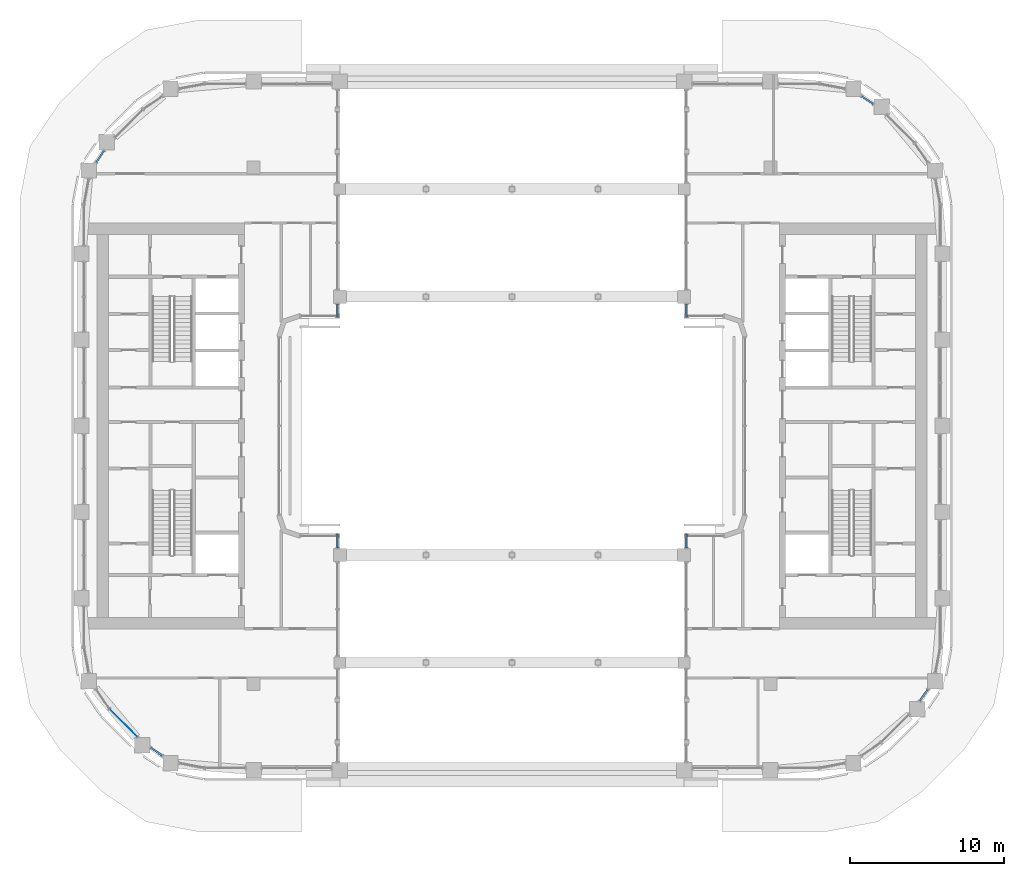
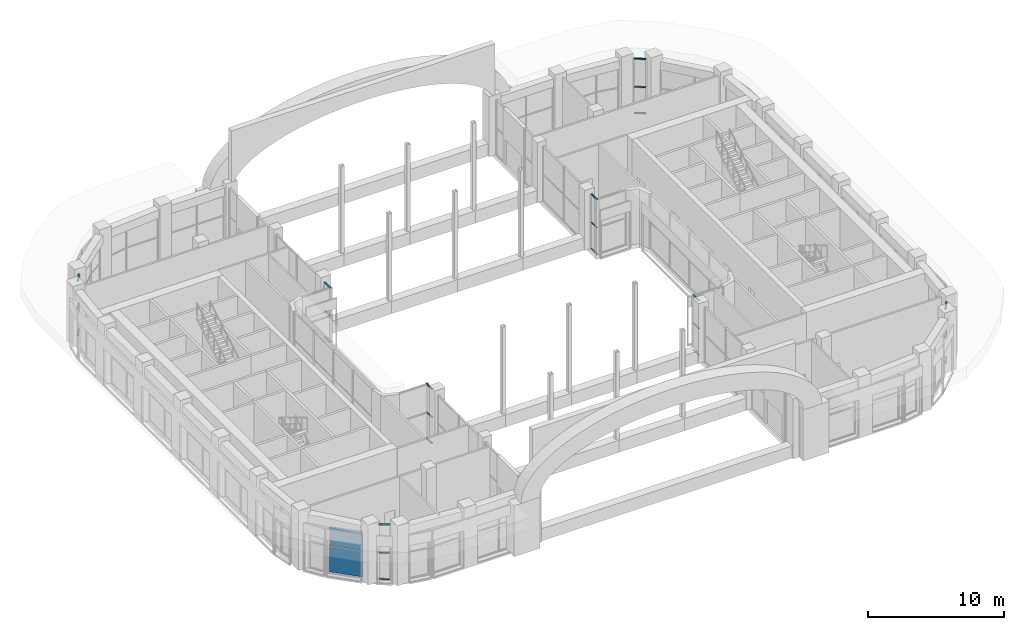
# One storey, part 11 of 28: 24 members, 2 plates, 9 elements without a shape of their own.
"""IFC4 building model written with IfcOpenShell, lengths in metres."""

from ifc_helpers import new_model, si_unit, direction, frame, origin, origin_2d, place, context, subcontext, project, spatial, rectangle, extrude, material, layer, layer_set, material_profile, profile_set, type_object, element, aggregate, save


model = new_model("IFC4")

# Units and contexts
model_context = context("Model", 3, precision=1e-05, world=origin(), true_north=direction((0.0, 1.0)))
body_context = subcontext(model_context, "Body", "Model", "MODEL_VIEW")
ifc_project = project(units=[si_unit("LENGTHUNIT", "METRE"), si_unit("AREAUNIT", "SQUARE_METRE"), si_unit("VOLUMEUNIT", "CUBIC_METRE"), si_unit("PLANEANGLEUNIT", "RADIAN"), si_unit("MASSUNIT", "GRAM", prefix="KILO")], contexts=[model_context])

# Site, building, storey
site_placement = place(None, origin())
site = spatial("IfcSite", under=ifc_project, at=site_placement, CompositionType="ELEMENT")
building_placement = place(site_placement, origin())
building = spatial("IfcBuilding", under=site, at=building_placement, Name="Kiln Ring Residences", CompositionType="ELEMENT")
storey_placement = place(building_placement, frame((0.0, 0.0, 178.10009765625)))
storey = spatial("IfcBuildingStorey", under=building, at=storey_placement, Name="L46", CompositionType="ELEMENT", Elevation=178.10009765625)

# Curtain wall, members
ifc_material_1 = material(Name="Aluminium and glass", Category="aluminium")
ifc_layer_1 = layer(ifc_material_1, 0.199951171875)
ifc_layer_set_1 = layer_set([ifc_layer_1], Name="CW1 CURTAIN WALL")
curtain_wall_type = type_object("IfcCurtainWallType", Name="CW1 CURTAIN WALL", PredefinedType="NOTDEFINED", material=ifc_layer_set_1)
placement = place(storey_placement, origin())
curtain_wall_1 = element("IfcCurtainWall", 1, at=placement, inside=storey, type_object=curtain_wall_type, Name="Curtain wall CW1 L46", PredefinedType="NOTDEFINED")
ifc_material_2 = material(Name="Aluminium 6063-T6", Category="aluminium")
ifc_material_profile = material_profile(ifc_material_2, rectangle(XDim=0.1201171875, YDim=0.06005859375, at=origin_2d()), Name="AL 120x60")
ifc_profile_set = profile_set([ifc_material_profile], Name="Aluminium 6063-T6")
member_type = type_object("IfcMemberType", Name="CW1 TRANSOM 120 x 60", PredefinedType="USERDEFINED", material=ifc_profile_set)
member_1_placement = place(storey_placement, frame((-23.484375, -20.93798828125, 0.02978515625), z_axis=(0.827097163461, -0.562058966831, 0.0), x_axis=(0.562058966831, 0.827097163461, 0.0)))
member_1 = element("IfcMember", 2, at=member_1_placement, type_object=member_type, Name="CW1 transom 1.1", ObjectType="TRANSOM", PredefinedType="USERDEFINED", context=body_context, shape_type="SweptSolid", body=[
    extrude(rectangle(XDim=0.1201171875, YDim=0.06005859375, at=origin_2d()), origin(), (0.0, 0.0, 1.0), 0.8779296875),
])
member_2_placement = place(storey_placement, frame((-23.484375, -20.93798828125, 2.39990234375), z_axis=(0.827097163461, -0.562058966831, 0.0), x_axis=(0.562058966831, 0.827097163461, 0.0)))
member_2 = element("IfcMember", 3, at=member_2_placement, type_object=member_type, Name="CW1 transom 1.2", ObjectType="TRANSOM", PredefinedType="USERDEFINED", context=body_context, shape_type="SweptSolid", body=[
    extrude(rectangle(XDim=0.1201171875, YDim=0.06005859375, at=origin_2d()), origin(), (0.0, 0.0, 1.0), 0.8779296875),
])
member_3_placement = place(storey_placement, frame((-23.484375, -20.93798828125, 4.919921875), z_axis=(0.827097163461, -0.562058966831, 0.0), x_axis=(0.562058966831, 0.827097163461, 0.0)))
member_3 = element("IfcMember", 4, at=member_3_placement, type_object=member_type, Name="CW1 transom 1.3", ObjectType="TRANSOM", PredefinedType="USERDEFINED", context=body_context, shape_type="SweptSolid", body=[
    extrude(rectangle(XDim=0.1201171875, YDim=0.06005859375, at=origin_2d()), origin(), (0.0, 0.0, 1.0), 0.8779296875),
])
aggregate(curtain_wall_1, [member_1, member_2, member_3])

curtain_wall_2 = element("IfcCurtainWall", 5, at=placement, inside=storey, type_object=curtain_wall_type, Name="Curtain wall CW1 L46", PredefinedType="NOTDEFINED")
member_4_placement = place(storey_placement, frame((-11.35009765625, -7.9150390625, 0.02978515625), z_axis=(0.0, 1.0, 0.0), x_axis=(-1.0, 0.0, 0.0)))
member_4 = element("IfcMember", 6, at=member_4_placement, type_object=member_type, Name="CW1 transom 1.1", ObjectType="TRANSOM", PredefinedType="USERDEFINED", context=body_context, shape_type="SweptSolid", body=[
    extrude(rectangle(XDim=0.1201171875, YDim=0.06005859375, at=origin_2d()), origin(), (0.0, 0.0, 1.0), 0.85498046875),
])
member_5_placement = place(storey_placement, frame((-11.35009765625, -7.9150390625, 2.39990234375), z_axis=(0.0, 1.0, 0.0), x_axis=(-1.0, 0.0, 0.0)))
member_5 = element("IfcMember", 7, at=member_5_placement, type_object=member_type, Name="CW1 transom 1.2", ObjectType="TRANSOM", PredefinedType="USERDEFINED", context=body_context, shape_type="SweptSolid", body=[
    extrude(rectangle(XDim=0.1201171875, YDim=0.06005859375, at=origin_2d()), origin(), (0.0, 0.0, 1.0), 0.85498046875),
])
member_6_placement = place(storey_placement, frame((-11.35009765625, -7.9150390625, 4.919921875), z_axis=(0.0, 1.0, 0.0), x_axis=(-1.0, 0.0, 0.0)))
member_6 = element("IfcMember", 8, at=member_6_placement, type_object=member_type, Name="CW1 transom 1.3", ObjectType="TRANSOM", PredefinedType="USERDEFINED", context=body_context, shape_type="SweptSolid", body=[
    extrude(rectangle(XDim=0.1201171875, YDim=0.06005859375, at=origin_2d()), origin(), (0.0, 0.0, 1.0), 0.85498046875),
])
aggregate(curtain_wall_2, [member_4, member_5, member_6])

curtain_wall_3 = element("IfcCurtainWall", 9, at=placement, inside=storey, type_object=curtain_wall_type, Name="Curtain wall CW1 L46", PredefinedType="NOTDEFINED")
member_7_placement = place(storey_placement, frame((-11.35009765625, 7.06005859375, 0.02978515625), z_axis=(0.0, 1.0, 0.0), x_axis=(-1.0, 0.0, 0.0)))
member_7 = element("IfcMember", 10, at=member_7_placement, type_object=member_type, Name="CW1 transom 1.1", ObjectType="TRANSOM", PredefinedType="USERDEFINED", context=body_context, shape_type="SweptSolid", body=[
    extrude(rectangle(XDim=0.1201171875, YDim=0.06005859375, at=origin_2d()), origin(), (0.0, 0.0, 1.0), 0.85498046875),
])
member_8_placement = place(storey_placement, frame((-11.35009765625, 7.06005859375, 2.39990234375), z_axis=(0.0, 1.0, 0.0), x_axis=(-1.0, 0.0, 0.0)))
member_8 = element("IfcMember", 11, at=member_8_placement, type_object=member_type, Name="CW1 transom 1.2", ObjectType="TRANSOM", PredefinedType="USERDEFINED", context=body_context, shape_type="SweptSolid", body=[
    extrude(rectangle(XDim=0.1201171875, YDim=0.06005859375, at=origin_2d()), origin(), (0.0, 0.0, 1.0), 0.85498046875),
])
member_9_placement = place(storey_placement, frame((-11.35009765625, 7.06005859375, 4.919921875), z_axis=(0.0, 1.0, 0.0), x_axis=(-1.0, 0.0, 0.0)))
member_9 = element("IfcMember", 12, at=member_9_placement, type_object=member_type, Name="CW1 transom 1.3", ObjectType="TRANSOM", PredefinedType="USERDEFINED", context=body_context, shape_type="SweptSolid", body=[
    extrude(rectangle(XDim=0.1201171875, YDim=0.06005859375, at=origin_2d()), origin(), (0.0, 0.0, 1.0), 0.85498046875),
])
aggregate(curtain_wall_3, [member_7, member_8, member_9])

curtain_wall_4 = element("IfcCurtainWall", 13, at=placement, inside=storey, type_object=curtain_wall_type, Name="Curtain wall CW1 L46", PredefinedType="NOTDEFINED")
member_10_placement = place(storey_placement, frame((-26.5380859375, 17.88427734375, 0.02978515625), z_axis=(-0.562058966831, -0.827097163461, 0.0), x_axis=(0.827097163461, -0.562058966831, 0.0)))
member_10 = element("IfcMember", 14, at=member_10_placement, type_object=member_type, Name="CW1 transom 1.1", ObjectType="TRANSOM", PredefinedType="USERDEFINED", context=body_context, shape_type="SweptSolid", body=[
    extrude(rectangle(XDim=0.1201171875, YDim=0.06005859375, at=origin_2d()), origin(), (0.0, 0.0, 1.0), 0.8779296875),
])
member_11_placement = place(storey_placement, frame((-26.5380859375, 17.88427734375, 2.39990234375), z_axis=(-0.562058966831, -0.827097163461, 0.0), x_axis=(0.827097163461, -0.562058966831, 0.0)))
member_11 = element("IfcMember", 15, at=member_11_placement, type_object=member_type, Name="CW1 transom 1.2", ObjectType="TRANSOM", PredefinedType="USERDEFINED", context=body_context, shape_type="SweptSolid", body=[
    extrude(rectangle(XDim=0.1201171875, YDim=0.06005859375, at=origin_2d()), origin(), (0.0, 0.0, 1.0), 0.8779296875),
])
member_12_placement = place(storey_placement, frame((-26.5380859375, 17.88427734375, 4.919921875), z_axis=(-0.562058966831, -0.827097163461, 0.0), x_axis=(0.827097163461, -0.562058966831, 0.0)))
member_12 = element("IfcMember", 16, at=member_12_placement, type_object=member_type, Name="CW1 transom 1.3", ObjectType="TRANSOM", PredefinedType="USERDEFINED", context=body_context, shape_type="SweptSolid", body=[
    extrude(rectangle(XDim=0.1201171875, YDim=0.06005859375, at=origin_2d()), origin(), (0.0, 0.0, 1.0), 0.8779296875),
])
aggregate(curtain_wall_4, [member_10, member_11, member_12])

curtain_wall_5 = element("IfcCurtainWall", 17, at=placement, inside=storey, type_object=curtain_wall_type, Name="Curtain wall CW1 L46", PredefinedType="NOTDEFINED")
member_13_placement = place(storey_placement, frame((11.35009765625, -7.06005859375, 0.02978515625), z_axis=(0.0, -1.0, 0.0), x_axis=(1.0, 0.0, 0.0)))
member_13 = element("IfcMember", 18, at=member_13_placement, type_object=member_type, Name="CW1 transom 1.1", ObjectType="TRANSOM", PredefinedType="USERDEFINED", context=body_context, shape_type="SweptSolid", body=[
    extrude(rectangle(XDim=0.1201171875, YDim=0.06005859375, at=origin_2d()), origin(), (0.0, 0.0, 1.0), 0.85498046875),
])
member_14_placement = place(storey_placement, frame((11.35009765625, -7.06005859375, 2.39990234375), z_axis=(0.0, -1.0, 0.0), x_axis=(1.0, 0.0, 0.0)))
member_14 = element("IfcMember", 19, at=member_14_placement, type_object=member_type, Name="CW1 transom 1.2", ObjectType="TRANSOM", PredefinedType="USERDEFINED", context=body_context, shape_type="SweptSolid", body=[
    extrude(rectangle(XDim=0.1201171875, YDim=0.06005859375, at=origin_2d()), origin(), (0.0, 0.0, 1.0), 0.85498046875),
])
member_15_placement = place(storey_placement, frame((11.35009765625, -7.06005859375, 4.919921875), z_axis=(0.0, -1.0, 0.0), x_axis=(1.0, 0.0, 0.0)))
member_15 = element("IfcMember", 20, at=member_15_placement, type_object=member_type, Name="CW1 transom 1.3", ObjectType="TRANSOM", PredefinedType="USERDEFINED", context=body_context, shape_type="SweptSolid", body=[
    extrude(rectangle(XDim=0.1201171875, YDim=0.06005859375, at=origin_2d()), origin(), (0.0, 0.0, 1.0), 0.85498046875),
])
aggregate(curtain_wall_5, [member_13, member_14, member_15])

curtain_wall_6 = element("IfcCurtainWall", 21, at=placement, inside=storey, type_object=curtain_wall_type, Name="Curtain wall CW1 L46", PredefinedType="NOTDEFINED")
member_16_placement = place(storey_placement, frame((26.5380859375, -17.88427734375, 0.02978515625), z_axis=(0.562058966831, 0.827097163461, 0.0), x_axis=(-0.827097163461, 0.562058966831, 0.0)))
member_16 = element("IfcMember", 22, at=member_16_placement, type_object=member_type, Name="CW1 transom 1.1", ObjectType="TRANSOM", PredefinedType="USERDEFINED", context=body_context, shape_type="SweptSolid", body=[
    extrude(rectangle(XDim=0.1201171875, YDim=0.06005859375, at=origin_2d()), origin(), (0.0, 0.0, 1.0), 0.8779296875),
])
member_17_placement = place(storey_placement, frame((26.5380859375, -17.88427734375, 2.39990234375), z_axis=(0.562058966831, 0.827097163461, 0.0), x_axis=(-0.827097163461, 0.562058966831, 0.0)))
member_17 = element("IfcMember", 23, at=member_17_placement, type_object=member_type, Name="CW1 transom 1.2", ObjectType="TRANSOM", PredefinedType="USERDEFINED", context=body_context, shape_type="SweptSolid", body=[
    extrude(rectangle(XDim=0.1201171875, YDim=0.06005859375, at=origin_2d()), origin(), (0.0, 0.0, 1.0), 0.8779296875),
])
member_18_placement = place(storey_placement, frame((26.5380859375, -17.88427734375, 4.919921875), z_axis=(0.562058966831, 0.827097163461, 0.0), x_axis=(-0.827097163461, 0.562058966831, 0.0)))
member_18 = element("IfcMember", 24, at=member_18_placement, type_object=member_type, Name="CW1 transom 1.3", ObjectType="TRANSOM", PredefinedType="USERDEFINED", context=body_context, shape_type="SweptSolid", body=[
    extrude(rectangle(XDim=0.1201171875, YDim=0.06005859375, at=origin_2d()), origin(), (0.0, 0.0, 1.0), 0.8779296875),
])
aggregate(curtain_wall_6, [member_16, member_17, member_18])

curtain_wall_7 = element("IfcCurtainWall", 25, at=placement, inside=storey, type_object=curtain_wall_type, Name="Curtain wall CW1 L46", PredefinedType="NOTDEFINED")
member_19_placement = place(storey_placement, frame((23.484375, 20.93798828125, 0.02978515625), z_axis=(-0.827097163461, 0.562058966831, 0.0), x_axis=(-0.562058966831, -0.827097163461, 0.0)))
member_19 = element("IfcMember", 26, at=member_19_placement, type_object=member_type, Name="CW1 transom 1.1", ObjectType="TRANSOM", PredefinedType="USERDEFINED", context=body_context, shape_type="SweptSolid", body=[
    extrude(rectangle(XDim=0.1201171875, YDim=0.06005859375, at=origin_2d()), origin(), (0.0, 0.0, 1.0), 0.8779296875),
])
member_20_placement = place(storey_placement, frame((23.484375, 20.93798828125, 2.39990234375), z_axis=(-0.827097163461, 0.562058966831, 0.0), x_axis=(-0.562058966831, -0.827097163461, 0.0)))
member_20 = element("IfcMember", 27, at=member_20_placement, type_object=member_type, Name="CW1 transom 1.2", ObjectType="TRANSOM", PredefinedType="USERDEFINED", context=body_context, shape_type="SweptSolid", body=[
    extrude(rectangle(XDim=0.1201171875, YDim=0.06005859375, at=origin_2d()), origin(), (0.0, 0.0, 1.0), 0.8779296875),
])
member_21_placement = place(storey_placement, frame((23.484375, 20.93798828125, 4.919921875), z_axis=(-0.827097163461, 0.562058966831, 0.0), x_axis=(-0.562058966831, -0.827097163461, 0.0)))
member_21 = element("IfcMember", 28, at=member_21_placement, type_object=member_type, Name="CW1 transom 1.3", ObjectType="TRANSOM", PredefinedType="USERDEFINED", context=body_context, shape_type="SweptSolid", body=[
    extrude(rectangle(XDim=0.1201171875, YDim=0.06005859375, at=origin_2d()), origin(), (0.0, 0.0, 1.0), 0.8779296875),
])
aggregate(curtain_wall_7, [member_19, member_20, member_21])

curtain_wall_8 = element("IfcCurtainWall", 29, at=placement, inside=storey, type_object=curtain_wall_type, Name="Curtain wall CW1 L46", PredefinedType="NOTDEFINED")
member_22_placement = place(storey_placement, frame((11.35009765625, 7.9150390625, 0.02978515625), z_axis=(0.0, -1.0, 0.0), x_axis=(1.0, 0.0, 0.0)))
member_22 = element("IfcMember", 30, at=member_22_placement, type_object=member_type, Name="CW1 transom 1.1", ObjectType="TRANSOM", PredefinedType="USERDEFINED", context=body_context, shape_type="SweptSolid", body=[
    extrude(rectangle(XDim=0.1201171875, YDim=0.06005859375, at=origin_2d()), origin(), (0.0, 0.0, 1.0), 0.85498046875),
])
member_23_placement = place(storey_placement, frame((11.35009765625, 7.9150390625, 2.39990234375), z_axis=(0.0, -1.0, 0.0), x_axis=(1.0, 0.0, 0.0)))
member_23 = element("IfcMember", 31, at=member_23_placement, type_object=member_type, Name="CW1 transom 1.2", ObjectType="TRANSOM", PredefinedType="USERDEFINED", context=body_context, shape_type="SweptSolid", body=[
    extrude(rectangle(XDim=0.1201171875, YDim=0.06005859375, at=origin_2d()), origin(), (0.0, 0.0, 1.0), 0.85498046875),
])
member_24_placement = place(storey_placement, frame((11.35009765625, 7.9150390625, 4.919921875), z_axis=(0.0, -1.0, 0.0), x_axis=(1.0, 0.0, 0.0)))
member_24 = element("IfcMember", 32, at=member_24_placement, type_object=member_type, Name="CW1 transom 1.3", ObjectType="TRANSOM", PredefinedType="USERDEFINED", context=body_context, shape_type="SweptSolid", body=[
    extrude(rectangle(XDim=0.1201171875, YDim=0.06005859375, at=origin_2d()), origin(), (0.0, 0.0, 1.0), 0.85498046875),
])
aggregate(curtain_wall_8, [member_22, member_23, member_24])

# Curtain wall, plates
curtain_wall_9 = element("IfcCurtainWall", 33, at=placement, inside=storey, type_object=curtain_wall_type, Name="Curtain wall CW1 L46", PredefinedType="NOTDEFINED")
ifc_material_3 = material(Name="Glass, low-e laminated", Category="glass")
ifc_layer_2 = layer(ifc_material_3, 0.028076171875)
ifc_layer_set_2 = layer_set([ifc_layer_2], Name="CW1 PANEL 28")
plate_type = type_object("IfcPlateType", Name="CW1 PANEL 28", PredefinedType="CURTAIN_PANEL", material=ifc_layer_set_2)
plate_1_placement = place(storey_placement, frame((-25.262451171875, -19.325439453125, 0.059814453125), z_axis=(0.0, 0.0, 1.0), x_axis=(0.707106781187, -0.707106781187, 0.0)))
plate_1 = element("IfcPlate", 34, at=plate_1_placement, type_object=plate_type, Name="CW1 panel 1.1", PredefinedType="CURTAIN_PANEL", context=body_context, shape_type="SweptSolid", body=[
    extrude(rectangle(XDim=2.52294921875, YDim=0.028076171875, at=origin_2d()), origin(), (0.0, 0.0, 1.0), 2.31005859375),
])
plate_2_placement = place(storey_placement, frame((-25.262451171875, -19.325439453125, 2.429931640625), z_axis=(0.0, 0.0, 1.0), x_axis=(0.707106781187, -0.707106781187, 0.0)))
plate_2 = element("IfcPlate", 35, at=plate_2_placement, type_object=plate_type, Name="CW1 panel 1.2", PredefinedType="CURTAIN_PANEL", context=body_context, shape_type="SweptSolid", body=[
    extrude(rectangle(XDim=2.52294921875, YDim=0.028076171875, at=origin_2d()), origin(), (0.0, 0.0, 1.0), 1.7099609375),
])
aggregate(curtain_wall_9, [plate_1, plate_2])

save(model, "model.ifc")
